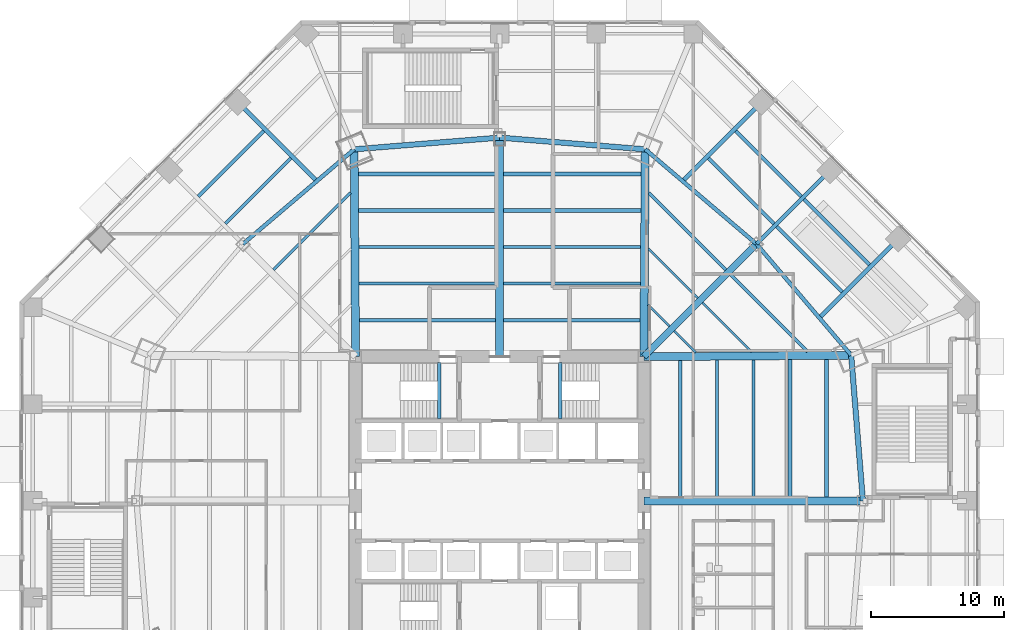
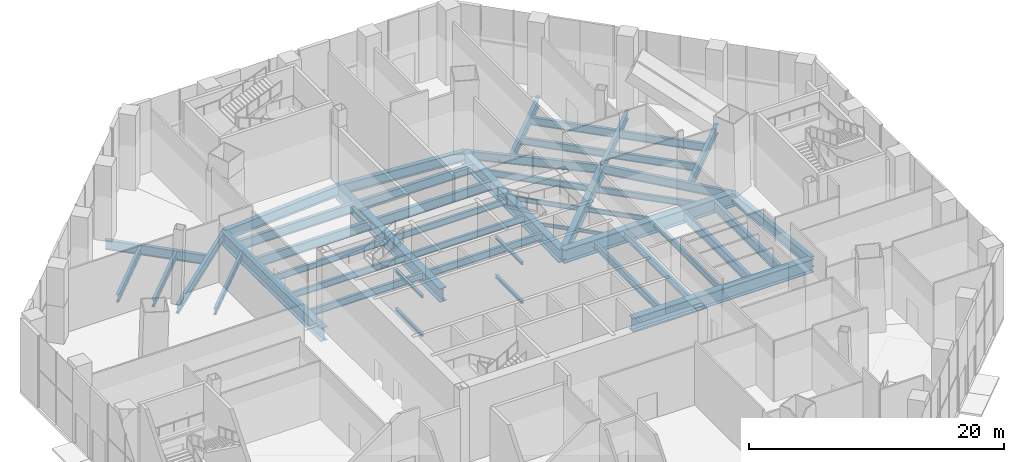
# One storey, part 10 of 35: 48 beams.
"""IFC4 building model written with IfcOpenShell, lengths in metres."""

from ifc_helpers import new_model, si_unit, direction, frame, origin, origin_2d, place, context, subcontext, project, spatial, i_section, extrude, material, material_profile, profile_set, type_object, element, save


model = new_model("IFC4")

# Units and contexts
model_context = context("Model", 3, precision=1e-05, world=origin(), true_north=direction((0.0, 1.0)))
body_context = subcontext(model_context, "Body", "Model", "MODEL_VIEW")
ifc_project = project(units=[si_unit("LENGTHUNIT", "METRE"), si_unit("AREAUNIT", "SQUARE_METRE"), si_unit("VOLUMEUNIT", "CUBIC_METRE"), si_unit("PLANEANGLEUNIT", "RADIAN"), si_unit("MASSUNIT", "GRAM", prefix="KILO")], contexts=[model_context])

# Site, building, storey
site_placement = place(None, origin())
site = spatial("IfcSite", under=ifc_project, at=site_placement, CompositionType="ELEMENT")
building_placement = place(site_placement, origin())
building = spatial("IfcBuilding", under=site, at=building_placement, Name="Mashrafa Tower", CompositionType="ELEMENT")
storey_placement = place(building_placement, origin())
storey = spatial("IfcBuildingStorey", under=building, at=storey_placement, Name="L00", CompositionType="ELEMENT", Elevation=0.0)

# Beams
ifc_material_1 = material(Name="Steel ASTM A572 Gr 50", Category="steel")
ifc_material_profile_1 = material_profile(ifc_material_1, i_section(OverallWidth=0.5, OverallDepth=1.10009765625, WebThickness=0.02490234375, FlangeThickness=0.050048828125, at=origin_2d()), Name="H1100X500X25X50")
ifc_profile_set_1 = profile_set([ifc_material_profile_1], Name="Steel ASTM A572 Gr 50")
beam_type_1 = type_object("IfcBeamType", Name="Beam H1100X500X25X50", PredefinedType="BEAM", material=ifc_profile_set_1)
beam_1_placement = place(storey_placement, frame((10.800048828125, 10.800048828125, -0.85009765625), z_axis=(0.707106781187, 0.707106781187, 0.0), x_axis=(-0.707106781187, 0.707106781187, 0.0)))
element("IfcBeam", 1, at=beam_1_placement, inside=storey, type_object=beam_type_1, Name="Radial girder L00 211", PredefinedType="BEAM", context=body_context, shape_type="SweptSolid", body=[
    extrude(i_section(OverallWidth=0.5, OverallDepth=1.10009765625, WebThickness=0.02490234375, FlangeThickness=0.050048828125, at=origin_2d()), origin(), (0.0, 0.0, 1.0), 11.94970703125),
])
ifc_material_2 = material(Name="Steel ASTM A572 Gr 50", Category="steel")
ifc_material_profile_2 = material_profile(ifc_material_2, i_section(OverallWidth=0.60009765625, OverallDepth=1.300048828125, WebThickness=0.028076171875, FlangeThickness=0.06494140625, at=origin_2d()), Name="H1300X600X28X65")
ifc_profile_set_2 = profile_set([ifc_material_profile_2], Name="Steel ASTM A572 Gr 50")
beam_type_2 = type_object("IfcBeamType", Name="Beam H1300X600X28X65", PredefinedType="BEAM", material=ifc_profile_set_2)
beam_2_placement = place(storey_placement, frame((-10.800048828125, 10.800048828125, -0.949951171875), z_axis=(-0.007240041422, 0.999973790557, 0.0), x_axis=(-0.999973790557, -0.007240041422, 0.0)))
element("IfcBeam", 2, at=beam_2_placement, inside=storey, type_object=beam_type_2, Name="Radial girder L00 203", PredefinedType="BEAM", context=body_context, shape_type="SweptSolid", body=[
    extrude(i_section(OverallWidth=0.60009765625, OverallDepth=1.300048828125, WebThickness=0.028076171875, FlangeThickness=0.06494140625, at=origin_2d()), origin(), (0.0, 0.0, 1.0), 15.54541015625),
])
for number, where, z_axis, x_axis, name in (
    (3, (0.0, 10.800048828125, -0.949951171875), (0.0, 1.0, 0.0), (-1.0, 0.0, 0.0), "Radial girder L00 205"),
    (4, (10.800048828125, 0.0, -0.949951171875), (1.0, 0.0, 0.0), (0.0, 1.0, 0.0), "Radial girder L00 209"),
):
    element("IfcBeam", number, at=place(storey_placement, frame(where, z_axis=z_axis, x_axis=x_axis)), inside=storey, type_object=beam_type_2, Name=name, PredefinedType="BEAM", context=body_context, shape_type="SweptSolid", body=[
        extrude(i_section(OverallWidth=0.60009765625, OverallDepth=1.300048828125, WebThickness=0.028076171875, FlangeThickness=0.06494140625, at=origin_2d()), origin(), (0.0, 0.0, 1.0), 16.423095703125),
    ])
for number, where, z_axis, x_axis, name in (
    (5, (10.800048828125, 10.800048828125, -0.949951171875), (0.007240041422, 0.999973790557, 0.0), (-0.999973790557, 0.007240041422, 0.0), "Radial girder L00 210"),
    (6, (10.800048828125, 10.800048828125, -0.949951171875), (0.999973790557, 0.007240041422, 0.0), (-0.007240041422, 0.999973790557, 0.0), "Radial girder L00 212"),
):
    element("IfcBeam", number, at=place(storey_placement, frame(where, z_axis=z_axis, x_axis=x_axis)), inside=storey, type_object=beam_type_2, Name=name, PredefinedType="BEAM", context=body_context, shape_type="SweptSolid", body=[
        extrude(i_section(OverallWidth=0.60009765625, OverallDepth=1.300048828125, WebThickness=0.028076171875, FlangeThickness=0.06494140625, at=origin_2d()), origin(), (0.0, 0.0, 1.0), 15.54541015625),
    ])
ifc_material_3 = material(Name="Steel ASTM A992", Category="steel")
ifc_material_profile_3 = material_profile(ifc_material_3, i_section(OverallWidth=0.164794921875, OverallDepth=0.309814453125, WebThickness=0.005859375, FlangeThickness=0.009765625, FilletRadius=0.007568359375, at=origin_2d()), Name="W12X26")
ifc_profile_set_3 = profile_set([ifc_material_profile_3], Name="Steel ASTM A992")
beam_type_3 = type_object("IfcBeamType", Name="Beam W12X26", PredefinedType="BEAM", material=ifc_profile_set_3)
for number, where, z_axis, x_axis, name in (
    (7, (11.12841796875, 14.696533203125, -0.454833984375), (0.707053076194, -0.7071604821, 0.0), (0.7071604821, 0.707053076194, 0.0), "Floor beam L00 063"),
    (8, (13.089111328125, 12.735595703125, -0.454833984375), (0.7071604821, -0.707053076194, 0.0), (0.707053076194, 0.7071604821, 0.0), "Floor beam L00 073"),
):
    element("IfcBeam", number, at=place(storey_placement, frame(where, z_axis=z_axis, x_axis=x_axis)), inside=storey, type_object=beam_type_3, Name=name, PredefinedType="BEAM", context=body_context, shape_type="SweptSolid", body=[
        extrude(i_section(OverallWidth=0.164794921875, OverallDepth=0.309814453125, WebThickness=0.005859375, FlangeThickness=0.009765625, FilletRadius=0.007568359375, at=origin_2d()), origin(), (0.0, 0.0, 1.0), 2.27294921875),
    ])
ifc_material_4 = material(Name="Steel ASTM A992", Category="steel")
ifc_material_profile_4 = material_profile(ifc_material_4, i_section(OverallWidth=0.15234375, OverallDepth=0.449462890625, WebThickness=0.007568359375, FlangeThickness=0.0107421875, FilletRadius=0.01025390625, at=origin_2d()), Name="W18X35")
ifc_profile_set_4 = profile_set([ifc_material_profile_4], Name="Steel ASTM A992")
beam_type_4 = type_object("IfcBeamType", Name="Beam W18X35", PredefinedType="BEAM", material=ifc_profile_set_4)
for number, where, z_axis, x_axis, name in (
    (9, (11.15869140625, 18.89111328125, -0.52490234375), (0.707106781187, -0.707106781187, 0.0), (0.707106781187, 0.707106781187, 0.0), "Floor beam L00 066"),
    (10, (15.20166015625, 14.84814453125, -0.52490234375), (0.707106781187, -0.707106781187, 0.0), (0.707106781187, 0.707106781187, 0.0), "Floor beam L00 080"),
):
    element("IfcBeam", number, at=place(storey_placement, frame(where, z_axis=z_axis, x_axis=x_axis)), inside=storey, type_object=beam_type_4, Name=name, PredefinedType="BEAM", context=body_context, shape_type="SweptSolid", body=[
        extrude(i_section(OverallWidth=0.15234375, OverallDepth=0.449462890625, WebThickness=0.007568359375, FlangeThickness=0.0107421875, FilletRadius=0.01025390625, at=origin_2d()), origin(), (0.0, 0.0, 1.0), 5.2177734375),
    ])
ifc_material_5 = material(Name="Steel ASTM A992", Category="steel")
ifc_material_profile_5 = material_profile(ifc_material_5, i_section(OverallWidth=0.228271484375, OverallDepth=0.607177734375, WebThickness=0.01123046875, FlangeThickness=0.017333984375, FilletRadius=0.0126953125, at=origin_2d()), Name="W24X76")
ifc_profile_set_5 = profile_set([ifc_material_profile_5], Name="Steel ASTM A992")
beam_type_5 = type_object("IfcBeamType", Name="Beam W24X76", PredefinedType="BEAM", material=ifc_profile_set_5)
beam_3_placement = place(storey_placement, frame((-16.96044921875, 17.314208984375, -0.603515625), z_axis=(0.707106781187, 0.707106781187, 0.0), x_axis=(-0.707106781187, 0.707106781187, 0.0)))
element("IfcBeam", 11, at=beam_3_placement, inside=storey, type_object=beam_type_5, Name="Floor beam L00 022", PredefinedType="BEAM", context=body_context, shape_type="SweptSolid", body=[
    extrude(i_section(OverallWidth=0.228271484375, OverallDepth=0.607177734375, WebThickness=0.01123046875, FlangeThickness=0.017333984375, FilletRadius=0.0126953125, at=origin_2d()), origin(), (0.0, 0.0, 1.0), 8.162109375),
])
beam_4_placement = place(storey_placement, frame((-10.559326171875, 19.01171875, -0.603515625), z_axis=(1.0, 0.0, 0.0), x_axis=(0.0, 1.0, 0.0)))
element("IfcBeam", 12, at=beam_4_placement, inside=storey, type_object=beam_type_5, Name="Floor beam L00 040", PredefinedType="BEAM", context=body_context, shape_type="SweptSolid", body=[
    extrude(i_section(OverallWidth=0.228271484375, OverallDepth=0.607177734375, WebThickness=0.01123046875, FlangeThickness=0.017333984375, FilletRadius=0.0126953125, at=origin_2d()), origin(), (0.0, 0.0, 1.0), 10.25927734375),
])
for number, where, z_axis, x_axis, name in (
    (13, (-10.53955078125, 16.2744140625, -0.603515625), (1.0, 0.0, 0.0), (0.0, 1.0, 0.0), "Floor beam L00 041"),
    (14, (0.300048828125, 16.2744140625, -0.603515625), (1.0, 0.0, 0.0), (0.0, 1.0, 0.0), "Floor beam L00 054"),
):
    element("IfcBeam", number, at=place(storey_placement, frame(where, z_axis=z_axis, x_axis=x_axis)), inside=storey, type_object=beam_type_5, Name=name, PredefinedType="BEAM", context=body_context, shape_type="SweptSolid", body=[
        extrude(i_section(OverallWidth=0.228271484375, OverallDepth=0.607177734375, WebThickness=0.01123046875, FlangeThickness=0.017333984375, FilletRadius=0.0126953125, at=origin_2d()), origin(), (0.0, 0.0, 1.0), 10.239501953125),
    ])
beam_5_placement = place(storey_placement, frame((0.300048828125, 19.01171875, -0.603515625), z_axis=(1.0, 0.0, 0.0), x_axis=(0.0, 1.0, 0.0)))
element("IfcBeam", 15, at=beam_5_placement, inside=storey, type_object=beam_type_5, Name="Floor beam L00 055", PredefinedType="BEAM", context=body_context, shape_type="SweptSolid", body=[
    extrude(i_section(OverallWidth=0.228271484375, OverallDepth=0.607177734375, WebThickness=0.01123046875, FlangeThickness=0.017333984375, FilletRadius=0.0126953125, at=origin_2d()), origin(), (0.0, 0.0, 1.0), 10.25927734375),
])
beam_6_placement = place(storey_placement, frame((11.18896484375, 23.085693359375, -0.603515625), z_axis=(0.707106781187, -0.707106781187, 0.0), x_axis=(0.707106781187, 0.707106781187, 0.0)))
element("IfcBeam", 16, at=beam_6_placement, inside=storey, type_object=beam_type_5, Name="Floor beam L00 068", PredefinedType="BEAM", context=body_context, shape_type="SweptSolid", body=[
    extrude(i_section(OverallWidth=0.228271484375, OverallDepth=0.607177734375, WebThickness=0.01123046875, FlangeThickness=0.017333984375, FilletRadius=0.0126953125, at=origin_2d()), origin(), (0.0, 0.0, 1.0), 8.162109375),
])
beam_7_placement = place(storey_placement, frame((16.2744140625, 10.53955078125, -0.603515625), z_axis=(0.0, -1.0, 0.0), x_axis=(1.0, 0.0, 0.0)))
element("IfcBeam", 17, at=beam_7_placement, inside=storey, type_object=beam_type_5, Name="Floor beam L00 082", PredefinedType="BEAM", context=body_context, shape_type="SweptSolid", body=[
    extrude(i_section(OverallWidth=0.228271484375, OverallDepth=0.607177734375, WebThickness=0.01123046875, FlangeThickness=0.017333984375, FilletRadius=0.0126953125, at=origin_2d()), origin(), (0.0, 0.0, 1.0), 10.239501953125),
])
beam_8_placement = place(storey_placement, frame((17.314208984375, 16.96044921875, -0.603515625), z_axis=(0.707106781187, -0.707106781187, 0.0), x_axis=(0.707106781187, 0.707106781187, 0.0)))
element("IfcBeam", 18, at=beam_8_placement, inside=storey, type_object=beam_type_5, Name="Floor beam L00 084", PredefinedType="BEAM", context=body_context, shape_type="SweptSolid", body=[
    extrude(i_section(OverallWidth=0.228271484375, OverallDepth=0.607177734375, WebThickness=0.01123046875, FlangeThickness=0.017333984375, FilletRadius=0.0126953125, at=origin_2d()), origin(), (0.0, 0.0, 1.0), 8.162109375),
])
beam_9_placement = place(storey_placement, frame((19.01171875, 10.559326171875, -0.603515625), z_axis=(0.0, -1.0, 0.0), x_axis=(1.0, 0.0, 0.0)))
element("IfcBeam", 19, at=beam_9_placement, inside=storey, type_object=beam_type_5, Name="Floor beam L00 087", PredefinedType="BEAM", context=body_context, shape_type="SweptSolid", body=[
    extrude(i_section(OverallWidth=0.228271484375, OverallDepth=0.607177734375, WebThickness=0.01123046875, FlangeThickness=0.017333984375, FilletRadius=0.0126953125, at=origin_2d()), origin(), (0.0, 0.0, 1.0), 10.25927734375),
])
ifc_material_6 = material(Name="Steel ASTM A992", Category="steel")
ifc_material_profile_6 = material_profile(ifc_material_6, i_section(OverallWidth=0.256591796875, OverallDepth=0.693359375, WebThickness=0.014404296875, FlangeThickness=0.023681640625, FilletRadius=0.01513671875, at=origin_2d()), Name="W27X114")
ifc_profile_set_6 = profile_set([ifc_material_profile_6], Name="Steel ASTM A992")
beam_type_6 = type_object("IfcBeamType", Name="Beam W27X114", PredefinedType="BEAM", material=ifc_profile_set_6)
for number, where, z_axis, x_axis, name in (
    (20, (-20.5654296875, 20.77197265625, -0.646728515625), (0.707089214407, 0.707124347529, 0.0), (-0.707124347529, 0.707089214407, 0.0), "Floor beam L00 017 part 1"),
    (21, (15.65185546875, 25.685791015625, -0.646728515625), (0.707089214407, -0.707124347529, 0.0), (0.707124347529, 0.707089214407, 0.0), "Floor beam L00 071 part 2"),
    (22, (20.77197265625, 20.5654296875, -0.646728515625), (0.707124347529, -0.707089214407, 0.0), (0.707089214407, 0.707124347529, 0.0), "Floor beam L00 090 part 1"),
):
    element("IfcBeam", number, at=place(storey_placement, frame(where, z_axis=z_axis, x_axis=x_axis)), inside=storey, type_object=beam_type_6, Name=name, PredefinedType="BEAM", context=body_context, shape_type="SweptSolid", body=[
        extrude(i_section(OverallWidth=0.256591796875, OverallDepth=0.693359375, WebThickness=0.014404296875, FlangeThickness=0.023681640625, FilletRadius=0.01513671875, at=origin_2d()), origin(), (0.0, 0.0, 1.0), 6.948974609375),
    ])
ifc_material_7 = material(Name="Steel ASTM A992", Category="steel")
ifc_material_profile_7 = material_profile(ifc_material_7, i_section(OverallWidth=0.25390625, OverallDepth=0.67822265625, WebThickness=0.01171875, FlangeThickness=0.016357421875, FilletRadius=0.01513671875, at=origin_2d()), Name="W27X84")
ifc_profile_set_7 = profile_set([ifc_material_profile_7], Name="Steel ASTM A992")
beam_type_7 = type_object("IfcBeamType", Name="Beam W27X84", PredefinedType="BEAM", material=ifc_profile_set_7)
for number, where, z_axis, x_axis, name in (
    (23, (-10.519775390625, 13.537109375, -0.63916015625), (1.0, 0.0, 0.0), (0.0, 1.0, 0.0), "Floor beam L00 043"),
    (24, (0.300048828125, 13.537109375, -0.63916015625), (1.0, 0.0, 0.0), (0.0, 1.0, 0.0), "Floor beam L00 053"),
    (25, (13.537109375, 10.519775390625, -0.63916015625), (0.0, -1.0, 0.0), (1.0, 0.0, 0.0), "Floor beam L00 077"),
):
    element("IfcBeam", number, at=place(storey_placement, frame(where, z_axis=z_axis, x_axis=x_axis)), inside=storey, type_object=beam_type_7, Name=name, PredefinedType="BEAM", context=body_context, shape_type="SweptSolid", body=[
        extrude(i_section(OverallWidth=0.25390625, OverallDepth=0.67822265625, WebThickness=0.01171875, FlangeThickness=0.016357421875, FilletRadius=0.01513671875, at=origin_2d()), origin(), (0.0, 0.0, 1.0), 10.2197265625),
    ])
ifc_material_8 = material(Name="Steel ASTM A992", Category="steel")
ifc_material_profile_8 = material_profile(ifc_material_8, i_section(OverallWidth=0.2666015625, OverallDepth=0.75439453125, WebThickness=0.01318359375, FlangeThickness=0.01708984375, FilletRadius=0.0166015625, at=origin_2d()), Name="W30X99")
ifc_profile_set_8 = profile_set([ifc_material_profile_8], Name="Steel ASTM A992")
beam_type_8 = type_object("IfcBeamType", Name="Beam W30X99", PredefinedType="BEAM", material=ifc_profile_set_8)
for number, where, z_axis, x_axis, name in (
    (26, (-22.60546875, 22.81201171875, -0.67724609375), (0.707106781187, 0.707106781187, 0.0), (-0.707106781187, 0.707106781187, 0.0), "Floor beam L00 013 part 1"),
    (27, (17.69189453125, 27.7255859375, -0.67724609375), (0.707106781187, -0.707106781187, 0.0), (0.707106781187, 0.707106781187, 0.0), "Floor beam L00 075 part 2"),
    (28, (22.81201171875, 22.60546875, -0.67724609375), (0.707106781187, -0.707106781187, 0.0), (0.707106781187, 0.707106781187, 0.0), "Floor beam L00 093 part 1"),
):
    element("IfcBeam", number, at=place(storey_placement, frame(where, z_axis=z_axis, x_axis=x_axis)), inside=storey, type_object=beam_type_8, Name=name, PredefinedType="BEAM", context=body_context, shape_type="SweptSolid", body=[
        extrude(i_section(OverallWidth=0.2666015625, OverallDepth=0.75439453125, WebThickness=0.01318359375, FlangeThickness=0.01708984375, FilletRadius=0.0166015625, at=origin_2d()), origin(), (0.0, 0.0, 1.0), 6.94873046875),
    ])
ifc_material_9 = material(Name="Steel ASTM A992", Category="steel")
ifc_material_profile_9 = material_profile(ifc_material_9, i_section(OverallWidth=0.2919921875, OverallDepth=0.8408203125, WebThickness=0.0146484375, FlangeThickness=0.021728515625, FilletRadius=0.017333984375, at=origin_2d()), Name="W33X130")
ifc_profile_set_9 = profile_set([ifc_material_profile_9], Name="Steel ASTM A992")
beam_type_9 = type_object("IfcBeamType", Name="Beam W33X130", PredefinedType="BEAM", material=ifc_profile_set_9)
for number, where, z_axis, x_axis, name in (
    (29, (-10.91259765625, 26.344970703125, -0.720458984375), (-0.76155016236, -0.648105971434, 0.0), (0.648105971434, -0.76155016236, 0.0), "Podium ring girder L00 187"),
    (30, (19.249755859375, 19.249755859375, -0.720458984375), (-0.76155016236, 0.648105971434, 0.0), (-0.648105971434, -0.76155016236, 0.0), "Podium ring girder L00 193"),
    (31, (26.344970703125, 10.91259765625, -0.720458984375), (-0.648105971434, 0.76155016236, 0.0), (-0.76155016236, -0.648105971434, 0.0), "Podium ring girder L00 195"),
):
    element("IfcBeam", number, at=place(storey_placement, frame(where, z_axis=z_axis, x_axis=x_axis)), inside=storey, type_object=beam_type_9, Name=name, PredefinedType="BEAM", context=body_context, shape_type="SweptSolid", body=[
        extrude(i_section(OverallWidth=0.2919921875, OverallDepth=0.8408203125, WebThickness=0.0146484375, FlangeThickness=0.021728515625, FilletRadius=0.017333984375, at=origin_2d()), origin(), (0.0, 0.0, 1.0), 10.947509765625),
    ])
ifc_material_10 = material(Name="Steel ASTM A992", Category="steel")
ifc_material_profile_10 = material_profile(ifc_material_10, i_section(OverallWidth=0.2919921875, OverallDepth=0.8583984375, WebThickness=0.01708984375, FlangeThickness=0.031005859375, FilletRadius=0.017822265625, at=origin_2d()), Name="W33X169")
ifc_profile_set_10 = profile_set([ifc_material_profile_10], Name="Steel ASTM A992")
beam_type_10 = type_object("IfcBeamType", Name="Beam W33X169", PredefinedType="BEAM", material=ifc_profile_set_10)
beam_10_placement = place(storey_placement, frame((19.249755859375, 19.249755859375, -0.729248046875), z_axis=(0.707106781187, 0.707106781187, 0.0), x_axis=(-0.707106781187, 0.707106781187, 0.0)))
element("IfcBeam", 32, at=beam_10_placement, inside=storey, type_object=beam_type_10, Name="Podium radial beam L00 170", PredefinedType="BEAM", context=body_context, shape_type="SweptSolid", body=[
    extrude(i_section(OverallWidth=0.2919921875, OverallDepth=0.8583984375, WebThickness=0.01708984375, FlangeThickness=0.031005859375, FilletRadius=0.017822265625, at=origin_2d()), origin(), (0.0, 0.0, 1.0), 7.77685546875),
])
ifc_material_11 = material(Name="Steel ASTM A992", Category="steel")
ifc_material_profile_11 = material_profile(ifc_material_11, i_section(OverallWidth=0.3046875, OverallDepth=0.911865234375, WebThickness=0.015869140625, FlangeThickness=0.02392578125, FilletRadius=0.01904296875, at=origin_2d()), Name="W36X150")
ifc_profile_set_11 = profile_set([ifc_material_profile_11], Name="Steel ASTM A992")
beam_type_11 = type_object("IfcBeamType", Name="Beam W36X150", PredefinedType="BEAM", material=ifc_profile_set_11)
for number, where, z_axis, x_axis, name in (
    (33, (-10.5791015625, 21.748779296875, -0.755859375), (1.0, 0.0, 0.0), (0.0, 1.0, 0.0), "Floor beam L00 038"),
    (34, (0.300048828125, 21.748779296875, -0.755859375), (1.0, 0.0, 0.0), (0.0, 1.0, 0.0), "Floor beam L00 056"),
    (35, (21.748779296875, 10.5791015625, -0.755859375), (0.0, -1.0, 0.0), (1.0, 0.0, 0.0), "Floor beam L00 092"),
):
    element("IfcBeam", number, at=place(storey_placement, frame(where, z_axis=z_axis, x_axis=x_axis)), inside=storey, type_object=beam_type_11, Name=name, PredefinedType="BEAM", context=body_context, shape_type="SweptSolid", body=[
        extrude(i_section(OverallWidth=0.3046875, OverallDepth=0.911865234375, WebThickness=0.015869140625, FlangeThickness=0.02392578125, FilletRadius=0.01904296875, at=origin_2d()), origin(), (0.0, 0.0, 1.0), 10.279052734375),
    ])
ifc_material_12 = material(Name="Steel ASTM A992", Category="steel")
ifc_material_profile_12 = material_profile(ifc_material_12, i_section(OverallWidth=0.307373046875, OverallDepth=0.927001953125, WebThickness=0.01953125, FlangeThickness=0.031982421875, FilletRadius=0.01904296875, at=origin_2d()), Name="W36X194")
ifc_profile_set_12 = profile_set([ifc_material_profile_12], Name="Steel ASTM A992")
beam_type_12 = type_object("IfcBeamType", Name="Beam W36X194", PredefinedType="BEAM", material=ifc_profile_set_12)
for number, where, z_axis, x_axis, name in (
    (36, (-10.59912109375, 24.486083984375, -0.763671875), (1.0, 0.0, 0.0), (0.0, 1.0, 0.0), "Floor beam L00 036"),
    (37, (0.300048828125, 24.486083984375, -0.763671875), (1.0, 0.0, 0.0), (0.0, 1.0, 0.0), "Floor beam L00 057"),
    (38, (24.486083984375, 10.59912109375, -0.763671875), (0.0, -1.0, 0.0), (1.0, 0.0, 0.0), "Floor beam L00 096"),
):
    element("IfcBeam", number, at=place(storey_placement, frame(where, z_axis=z_axis, x_axis=x_axis)), inside=storey, type_object=beam_type_12, Name=name, PredefinedType="BEAM", context=body_context, shape_type="SweptSolid", body=[
        extrude(i_section(OverallWidth=0.307373046875, OverallDepth=0.927001953125, WebThickness=0.01953125, FlangeThickness=0.031982421875, FilletRadius=0.01904296875, at=origin_2d()), origin(), (0.0, 0.0, 1.0), 10.299072265625),
    ])
for number, where, z_axis, x_axis, name in (
    (39, (-13.815185546875, 24.06640625, -0.763671875), (-0.707091919289, 0.707121642771, 0.0), (-0.707121642771, -0.707091919289, 0.0), "Podium radial beam L00 152"),
    (40, (13.815185546875, 24.06640625, -0.763671875), (0.707091919289, 0.707121642771, 0.0), (-0.707121642771, 0.707091919289, 0.0), "Podium radial beam L00 168"),
    (41, (24.06640625, 13.815185546875, -0.763671875), (0.707121642771, 0.707091919289, 0.0), (-0.707091919289, 0.707121642771, 0.0), "Podium radial beam L00 173"),
):
    element("IfcBeam", number, at=place(storey_placement, frame(where, z_axis=z_axis, x_axis=x_axis)), inside=storey, type_object=beam_type_12, Name=name, PredefinedType="BEAM", context=body_context, shape_type="SweptSolid", body=[
        extrude(i_section(OverallWidth=0.307373046875, OverallDepth=0.927001953125, WebThickness=0.01953125, FlangeThickness=0.031982421875, FilletRadius=0.01904296875, at=origin_2d()), origin(), (0.0, 0.0, 1.0), 8.213623046875),
    ])
ifc_material_13 = material(Name="Steel ASTM A992", Category="steel")
ifc_material_profile_13 = material_profile(ifc_material_13, i_section(OverallWidth=0.4013671875, OverallDepth=1.010986328125, WebThickness=0.023681640625, FlangeThickness=0.0419921875, FilletRadius=0.02001953125, at=origin_2d()), Name="W40X297")
ifc_profile_set_13 = profile_set([ifc_material_profile_13], Name="Steel ASTM A992")
beam_type_13 = type_object("IfcBeamType", Name="Beam W40X297", PredefinedType="BEAM", material=ifc_profile_set_13)
for number, where, z_axis, x_axis, name in (
    (42, (0.0, 27.22314453125, -0.805419921875), (-0.996777658423, -0.080214086477, 0.0), (0.080214086477, -0.996777658423, 0.0), "Podium ring girder L00 189"),
    (43, (10.91259765625, 26.344970703125, -0.805419921875), (-0.996777658423, 0.080214086477, 0.0), (-0.080214086477, -0.996777658423, 0.0), "Podium ring girder L00 191"),
    (44, (27.22314453125, 0.0, -0.805419921875), (-0.080214086477, 0.996777658423, 0.0), (-0.996777658423, -0.080214086477, 0.0), "Podium ring girder L00 196"),
):
    element("IfcBeam", number, at=place(storey_placement, frame(where, z_axis=z_axis, x_axis=x_axis)), inside=storey, type_object=beam_type_13, Name=name, PredefinedType="BEAM", context=body_context, shape_type="SweptSolid", body=[
        extrude(i_section(OverallWidth=0.4013671875, OverallDepth=1.010986328125, WebThickness=0.023681640625, FlangeThickness=0.0419921875, FilletRadius=0.02001953125, at=origin_2d()), origin(), (0.0, 0.0, 1.0), 10.94775390625),
    ])
ifc_material_14 = material(Name="Steel ASTM A992", Category="steel")
ifc_material_profile_14 = material_profile(ifc_material_14, i_section(OverallWidth=0.25390625, OverallDepth=0.25390625, WebThickness=0.008544921875, FlangeThickness=0.01416015625, FilletRadius=0.010009765625, at=origin_2d()), Name="W10X49")
ifc_profile_set_14 = profile_set([ifc_material_profile_14], Name="Steel ASTM A992")
beam_type_14 = type_object("IfcBeamType", Name="Hoistway beam W10X49", PredefinedType="BEAM", material=ifc_profile_set_14)
for number, where, z_axis, x_axis, name in (
    (45, (-4.530029296875, 6.14990234375, -0.427001953125), (0.0, 1.0, 0.0), (-1.0, 0.0, 0.0), "Stair S1 landing beam L00"),
    (46, (-4.530029296875, 6.14990234375, 3.27294921875), (0.0, 1.0, 0.0), (-1.0, 0.0, 0.0), "Stair S1 landing beam L00"),
    (47, (4.530029296875, 6.14990234375, -0.427001953125), (0.0, 1.0, 0.0), (-1.0, 0.0, 0.0), "Stair S2 landing beam L00"),
    (48, (4.530029296875, 6.14990234375, 3.27294921875), (0.0, 1.0, 0.0), (-1.0, 0.0, 0.0), "Stair S2 landing beam L00"),
):
    element("IfcBeam", number, at=place(storey_placement, frame(where, z_axis=z_axis, x_axis=x_axis)), inside=storey, type_object=beam_type_14, Name=name, PredefinedType="BEAM", context=body_context, shape_type="SweptSolid", body=[
        extrude(i_section(OverallWidth=0.25390625, OverallDepth=0.25390625, WebThickness=0.008544921875, FlangeThickness=0.01416015625, FilletRadius=0.010009765625, at=origin_2d()), origin(), (0.0, 0.0, 1.0), 4.2001953125),
    ])

save(model, "model.ifc")
